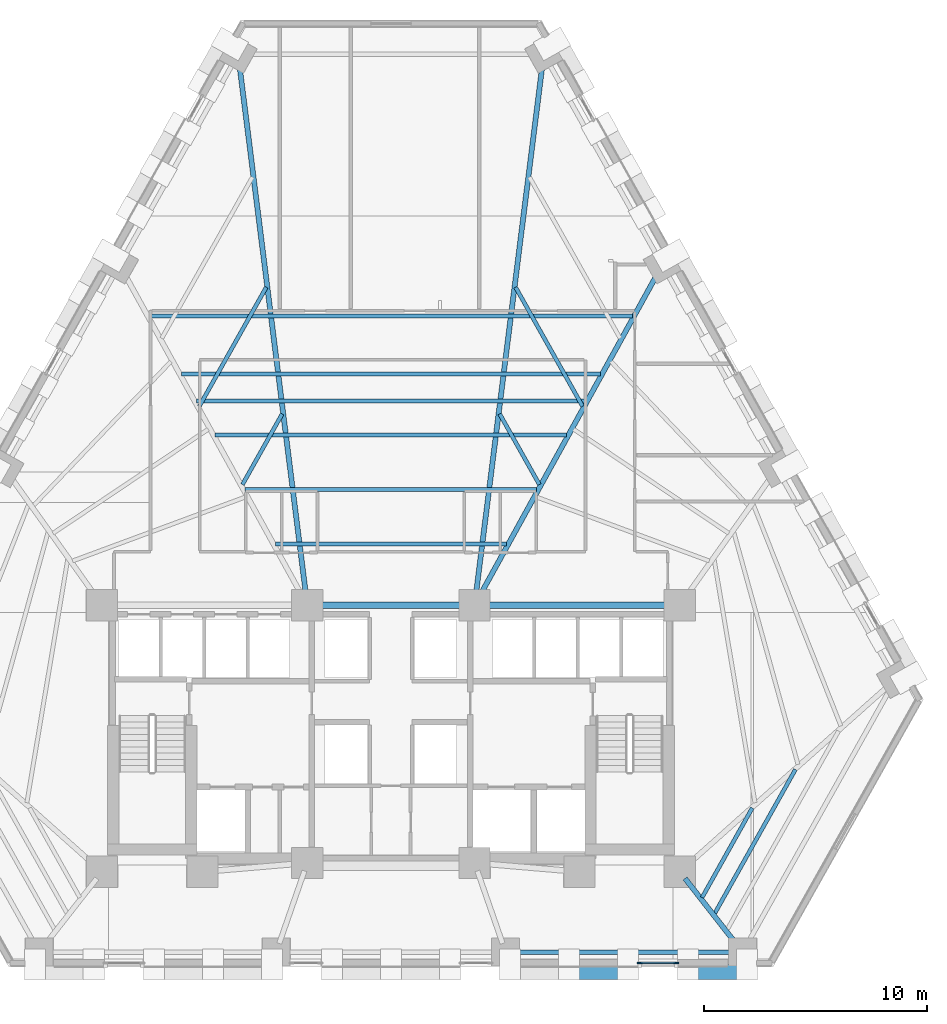
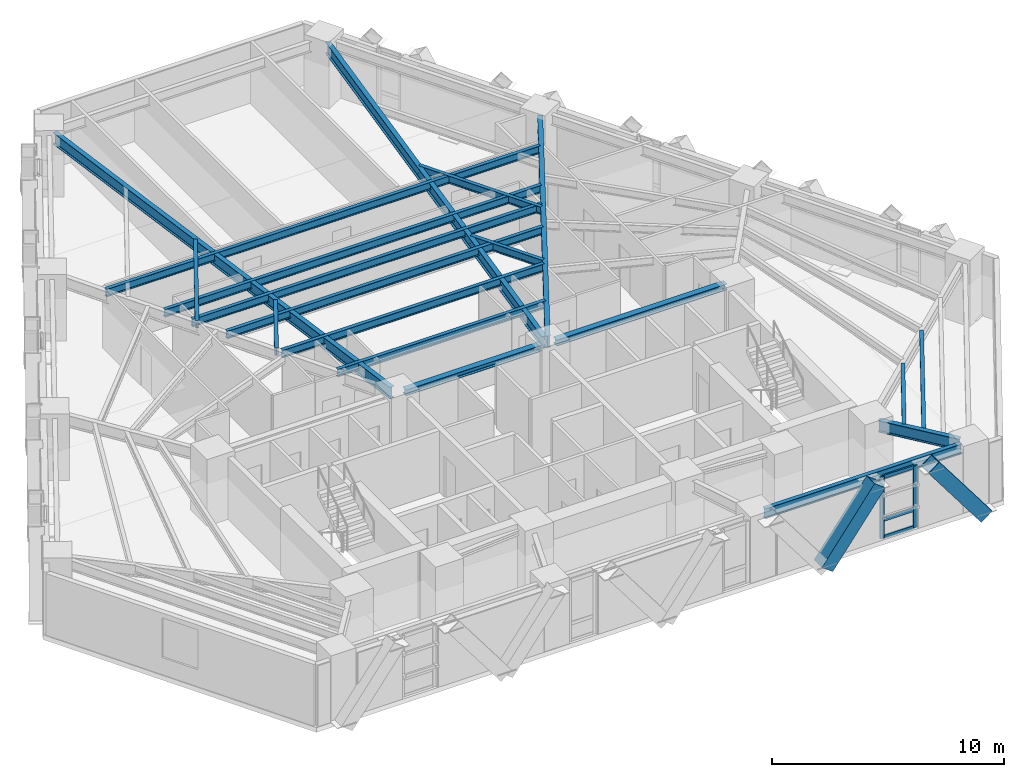
# One storey, part 3 of 13: 19 beams, 7 members, 1 element without a shape of its own.
"""IFC4 building model written with IfcOpenShell, lengths in metres."""

from ifc_helpers import new_model, si_unit, direction, frame, origin, origin_2d, place, context, subcontext, project, spatial, rectangle, hollow_rectangle, i_section, extrude, material, material_profile, profile_set, type_object, element, aggregate, save


model = new_model("IFC4")

# Units and contexts
model_context = context("Model", 3, precision=1e-05, world=origin(), true_north=direction((0.0, 1.0)))
body_context = subcontext(model_context, "Body", "Model", "MODEL_VIEW")
ifc_project = project(units=[si_unit("LENGTHUNIT", "METRE"), si_unit("AREAUNIT", "SQUARE_METRE"), si_unit("VOLUMEUNIT", "CUBIC_METRE"), si_unit("PLANEANGLEUNIT", "RADIAN"), si_unit("MASSUNIT", "GRAM", prefix="KILO")], contexts=[model_context])

# Site, building, storey
site_placement = place(None, origin())
site = spatial("IfcSite", under=ifc_project, at=site_placement, CompositionType="ELEMENT")
building_placement = place(site_placement, origin())
building = spatial("IfcBuilding", under=site, at=building_placement, Name="Quenlor Broadcast Tower", CompositionType="ELEMENT")
storey_placement = place(building_placement, frame((0.0, 0.0, 38.10009765625)))
storey = spatial("IfcBuildingStorey", under=building, at=storey_placement, Name="L09", CompositionType="ELEMENT", Elevation=38.10009765625)

# Curtain wall, members
ifc_material_1 = material(Name="Architectural Terracotta and Low-E Glazing", Category="masonry")
curtain_wall_type = type_object("IfcCurtainWallType", Name="Unitised Terracotta Curtain Wall System Z1", PredefinedType="NOTDEFINED", material=ifc_material_1)
curtain_wall_placement = place(storey_placement, origin())
curtain_wall = element("IfcCurtainWall", 1, at=curtain_wall_placement, inside=storey, type_object=curtain_wall_type, Name="L09 Curtain Wall CW1 (L09-SA-G1)", PredefinedType="NOTDEFINED")
ifc_material_2 = material(Name="Aluminium 6063-T6", Category="aluminium")
ifc_material_profile_1 = material_profile(ifc_material_2, rectangle(XDim=0.080078125, YDim=0.219970703125, at=origin_2d()))
ifc_profile_set_1 = profile_set([ifc_material_profile_1], Name="Aluminium 6063-T6 MULL80x220")
member_type_1 = type_object("IfcMemberType", Name="CW1 Aluminium Mullion MULL_CW1", PredefinedType="MULLION", material=ifc_profile_set_1)
member_1_placement = place(storey_placement, frame((12.794921875, -20.840087890625, 0.0), z_axis=(0.0, 0.0, 1.0), x_axis=(0.0, -1.0, 0.0)))
member_1 = element("IfcMember", 2, at=member_1_placement, type_object=member_type_1, Name="CW1 mullion 1", PredefinedType="MULLION", context=body_context, shape_type="SweptSolid", body=[
    extrude(rectangle(XDim=0.080078125, YDim=0.219970703125, at=origin_2d()), origin(), (0.0, 0.0, 1.0), 3.25),
])
member_2_placement = place(storey_placement, frame((11.146484375, -20.840087890625, 0.0), z_axis=(0.0, 0.0, 1.0), x_axis=(0.0, -1.0, 0.0)))
member_2 = element("IfcMember", 3, at=member_2_placement, type_object=member_type_1, Name="CW1 mullion 2", PredefinedType="MULLION", context=body_context, shape_type="SweptSolid", body=[
    extrude(rectangle(XDim=0.080078125, YDim=0.219970703125, at=origin_2d()), origin(), (0.0, 0.0, 1.0), 3.25),
])
ifc_material_3 = material(Name="Aluminium 6063-T6", Category="aluminium")
ifc_material_profile_2 = material_profile(ifc_material_3, rectangle(XDim=0.080078125, YDim=0.179931640625, at=origin_2d()))
ifc_profile_set_2 = profile_set([ifc_material_profile_2], Name="Aluminium 6063-T6 TRAN80x180")
member_type_2 = type_object("IfcMemberType", Name="CW1 Aluminium Transom TRAN_CW1", PredefinedType="USERDEFINED", material=ifc_profile_set_2)
member_3_placement = place(storey_placement, frame((12.7548828125, -20.840087890625, 0.039794921875), z_axis=(-1.0, 0.0, 0.0), x_axis=(0.0, -1.0, 0.0)))
member_3 = element("IfcMember", 4, at=member_3_placement, type_object=member_type_2, Name="CW1 transom 1.1", ObjectType="TRANSOM", PredefinedType="USERDEFINED", context=body_context, shape_type="SweptSolid", body=[
    extrude(rectangle(XDim=0.080078125, YDim=0.179931640625, at=origin_2d()), origin(), (0.0, 0.0, 1.0), 1.568359375),
])
member_4_placement = place(storey_placement, frame((12.7548828125, -20.840087890625, 0.949951171875), z_axis=(-1.0, 0.0, 0.0), x_axis=(0.0, -1.0, 0.0)))
member_4 = element("IfcMember", 5, at=member_4_placement, type_object=member_type_2, Name="CW1 transom 1.2", ObjectType="TRANSOM", PredefinedType="USERDEFINED", context=body_context, shape_type="SweptSolid", body=[
    extrude(rectangle(XDim=0.080078125, YDim=0.179931640625, at=origin_2d()), origin(), (0.0, 0.0, 1.0), 1.568359375),
])
member_5_placement = place(storey_placement, frame((12.7548828125, -20.840087890625, 3.2099609375), z_axis=(-1.0, 0.0, 0.0), x_axis=(0.0, -1.0, 0.0)))
member_5 = element("IfcMember", 6, at=member_5_placement, type_object=member_type_2, Name="CW1 transom 1.3", ObjectType="TRANSOM", PredefinedType="USERDEFINED", context=body_context, shape_type="SweptSolid", body=[
    extrude(rectangle(XDim=0.080078125, YDim=0.179931640625, at=origin_2d()), origin(), (0.0, 0.0, 1.0), 1.568359375),
])
aggregate(curtain_wall, [member_1, member_2, member_3, member_4, member_5])

# Beams
ifc_material_4 = material(Name="Steel S355", Category="steel")
ifc_material_profile_3 = material_profile(ifc_material_4, i_section(OverallWidth=0.304931640625, OverallDepth=0.30810546875, WebThickness=0.010009765625, FlangeThickness=0.015380859375, FilletRadius=0.0166015625, at=origin_2d()))
ifc_profile_set_3 = profile_set([ifc_material_profile_3], Name="Steel S355 310UC96.8")
beam_type_1 = type_object("IfcBeamType", Name="Core Header Beam Steel S355 310UC96.8", PredefinedType="BEAM", material=ifc_profile_set_3)
beam_1_placement = place(storey_placement, frame((-3.389892578125, -4.800048828125, 3.095947265625), z_axis=(1.0, 0.0, 0.0), x_axis=(0.0, 1.0, 0.0)))
element("IfcBeam", 7, at=beam_1_placement, inside=storey, type_object=beam_type_1, Name="L09 Core Header Beam 2", PredefinedType="BEAM", context=body_context, shape_type="SweptSolid", body=[
    extrude(i_section(OverallWidth=0.304931640625, OverallDepth=0.30810546875, WebThickness=0.010009765625, FlangeThickness=0.015380859375, FilletRadius=0.0166015625, at=origin_2d()), origin(), (0.0, 0.0, 1.0), 6.77978515625),
])
ifc_material_5 = material(Name="Steel S355", Category="steel")
ifc_material_profile_4 = material_profile(ifc_material_5, i_section(OverallWidth=0.306884765625, OverallDepth=0.314697265625, WebThickness=0.011962890625, FlangeThickness=0.018798828125, FilletRadius=0.0166015625, at=origin_2d()))
ifc_profile_set_4 = profile_set([ifc_material_profile_4], Name="Steel S355 310UC118")
beam_type_2 = type_object("IfcBeamType", Name="Core Tie Beam Steel S355 310UC118", PredefinedType="BEAM", material=ifc_profile_set_4)
beam_2_placement = place(storey_placement, frame((4.110107421875, -4.800048828125, 3.092529296875), z_axis=(1.0, 0.0, 0.0), x_axis=(0.0, 1.0, 0.0)))
element("IfcBeam", 8, at=beam_2_placement, inside=storey, type_object=beam_type_2, Name="L09 Core Tie Beam 3", PredefinedType="BEAM", context=body_context, shape_type="SweptSolid", body=[
    extrude(i_section(OverallWidth=0.306884765625, OverallDepth=0.314697265625, WebThickness=0.011962890625, FlangeThickness=0.018798828125, FilletRadius=0.0166015625, at=origin_2d()), origin(), (0.0, 0.0, 1.0), 8.47998046875),
])

# Members
ifc_material_6 = material(Name="Steel S355", Category="steel")
ifc_material_profile_5 = material_profile(ifc_material_6, hollow_rectangle(XDim=0.679931640625, YDim=0.679931640625, WallThickness=0.034912109375, at=origin_2d()))
ifc_profile_set_5 = profile_set([ifc_material_profile_5], Name="Steel S355 RHS680x680x35")
member_type_3 = type_object("IfcMemberType", Name="Perimeter Diagonal Lattice Brace Z1 Steel S355 RHS680x35", PredefinedType="BRACE", material=ifc_profile_set_5)
for number, where, z_axis, x_axis, name in (
    (9, (15.945068359375, -21.235107421875, -0.1201171875), (-0.600463982679, 0.0, 0.799651802665), (0.0, -1.0, 0.0), "L09 Perimeter Diamond Lattice S-C1S"),
    (10, (7.99658203125, -21.235107421875, -0.1201171875), (0.600463982679, 0.0, 0.799651802665), (0.0, 1.0, 0.0), "L09 Perimeter Diamond Lattice S-C1B"),
):
    element("IfcMember", number, at=place(storey_placement, frame(where, z_axis=z_axis, x_axis=x_axis)), inside=storey, type_object=member_type_3, Name=name, PredefinedType="BRACE", context=body_context, shape_type="SweptSolid", body=[
        extrude(hollow_rectangle(XDim=0.679931640625, YDim=0.679931640625, WallThickness=0.034912109375, at=origin_2d()), origin(), (0.0, 0.0, 1.0), 4.376953125),
    ])

# Beams
ifc_material_7 = material(Name="Steel S355", Category="steel")
ifc_material_profile_6 = material_profile(ifc_material_7, i_section(OverallWidth=0.208984375, OverallDepth=0.532958984375, WebThickness=0.01025390625, FlangeThickness=0.015625, FilletRadius=0.013916015625, at=origin_2d()))
ifc_profile_set_6 = profile_set([ifc_material_profile_6], Name="Steel S355 530UB92.4")
beam_type_3 = type_object("IfcBeamType", Name="Perimeter Spandrel Beam Z1 Steel S355 530UB92.4", PredefinedType="SPANDREL", material=ifc_profile_set_6)
beam_3_placement = place(storey_placement, frame((5.55078125, -20.35009765625, 2.9833984375), z_axis=(1.0, 0.0, 0.0), x_axis=(0.0, 1.0, 0.0)))
element("IfcBeam", 11, at=beam_3_placement, inside=storey, type_object=beam_type_3, Name="L09 Spandrel Beam S3-S4", PredefinedType="SPANDREL", context=body_context, shape_type="SweptSolid", body=[
    extrude(i_section(OverallWidth=0.208984375, OverallDepth=0.532958984375, WebThickness=0.01025390625, FlangeThickness=0.015625, FilletRadius=0.013916015625, at=origin_2d()), origin(), (0.0, 0.0, 1.0), 9.80419921875),
])
ifc_material_8 = material(Name="Steel S355", Category="steel")
ifc_material_profile_7 = material_profile(ifc_material_8, i_section(OverallWidth=0.177978515625, OverallDepth=0.406494140625, WebThickness=0.0078125, FlangeThickness=0.0126953125, FilletRadius=0.011474609375, at=origin_2d()))
ifc_profile_set_7 = profile_set([ifc_material_profile_7], Name="Steel S355 410UB59.7")
beam_type_4 = type_object("IfcBeamType", Name="Tower Composite Joist Z1 Steel S355 410UB59.7", PredefinedType="JOIST", material=ifc_profile_set_7)
beam_4_placement = place(storey_placement, frame((-5.184326171875, -2.0546875, 3.046630859375), z_axis=(1.0, 0.0, 0.0), x_axis=(0.0, 1.0, 0.0)))
element("IfcBeam", 12, at=beam_4_placement, inside=storey, type_object=beam_type_4, Name="L09 Secondary Composite Joist 1", PredefinedType="JOIST", context=body_context, shape_type="SweptSolid", body=[
    extrude(i_section(OverallWidth=0.177978515625, OverallDepth=0.406494140625, WebThickness=0.0078125, FlangeThickness=0.0126953125, FilletRadius=0.011474609375, at=origin_2d()), origin(), (0.0, 0.0, 1.0), 10.36865234375),
])
beam_5_placement = place(storey_placement, frame((-8.718017578125, 4.3505859375, 3.046630859375), z_axis=(1.0, 0.0, 0.0), x_axis=(0.0, 1.0, 0.0)))
element("IfcBeam", 13, at=beam_5_placement, inside=storey, type_object=beam_type_4, Name="L09 Secondary Composite Joist 2", PredefinedType="JOIST", context=body_context, shape_type="SweptSolid", body=[
    extrude(i_section(OverallWidth=0.177978515625, OverallDepth=0.406494140625, WebThickness=0.0078125, FlangeThickness=0.0126953125, FilletRadius=0.011474609375, at=origin_2d()), origin(), (0.0, 0.0, 1.0), 17.43603515625),
])
beam_6_placement = place(storey_placement, frame((-6.530517578125, 0.38525390625, 3.046630859375), z_axis=(1.0, 0.0, 0.0), x_axis=(0.0, 1.0, 0.0)))
element("IfcBeam", 14, at=beam_6_placement, inside=storey, type_object=beam_type_4, Name="L09 Secondary Composite Joist 3", PredefinedType="JOIST", context=body_context, shape_type="SweptSolid", body=[
    extrude(i_section(OverallWidth=0.177978515625, OverallDepth=0.406494140625, WebThickness=0.0078125, FlangeThickness=0.0126953125, FilletRadius=0.011474609375, at=origin_2d()), origin(), (0.0, 0.0, 1.0), 13.06103515625),
])
beam_7_placement = place(storey_placement, frame((-7.87646484375, 2.825439453125, 3.046630859375), z_axis=(1.0, 0.0, 0.0), x_axis=(0.0, 1.0, 0.0)))
element("IfcBeam", 15, at=beam_7_placement, inside=storey, type_object=beam_type_4, Name="L09 Secondary Composite Joist 4", PredefinedType="JOIST", context=body_context, shape_type="SweptSolid", body=[
    extrude(i_section(OverallWidth=0.177978515625, OverallDepth=0.406494140625, WebThickness=0.0078125, FlangeThickness=0.0126953125, FilletRadius=0.011474609375, at=origin_2d()), origin(), (0.0, 0.0, 1.0), 15.7529296875),
])
beam_8_placement = place(storey_placement, frame((-9.390869140625, 5.570556640625, 3.046630859375), z_axis=(1.0, 0.0, 0.0), x_axis=(0.0, 1.0, 0.0)))
element("IfcBeam", 16, at=beam_8_placement, inside=storey, type_object=beam_type_4, Name="L09 Secondary Composite Joist 5", PredefinedType="JOIST", context=body_context, shape_type="SweptSolid", body=[
    extrude(i_section(OverallWidth=0.177978515625, OverallDepth=0.406494140625, WebThickness=0.0078125, FlangeThickness=0.0126953125, FilletRadius=0.011474609375, at=origin_2d()), origin(), (0.0, 0.0, 1.0), 18.78173828125),
])
beam_9_placement = place(storey_placement, frame((-10.821044921875, 8.163330078125, 3.046630859375), z_axis=(1.0, 0.0, 0.0), x_axis=(0.0, 1.0, 0.0)))
element("IfcBeam", 17, at=beam_9_placement, inside=storey, type_object=beam_type_4, Name="L09 Secondary Composite Joist 6", PredefinedType="JOIST", context=body_context, shape_type="SweptSolid", body=[
    extrude(i_section(OverallWidth=0.177978515625, OverallDepth=0.406494140625, WebThickness=0.0078125, FlangeThickness=0.0126953125, FilletRadius=0.011474609375, at=origin_2d()), origin(), (0.0, 0.0, 1.0), 21.64208984375),
])
beam_10_placement = place(storey_placement, frame((13.9462890625, -17.904296875, 3.046630859375), z_axis=(0.489062021968, 0.872249011848, 0.0), x_axis=(-0.872249011848, 0.489062021968, 0.0)))
element("IfcBeam", 18, at=beam_10_placement, inside=storey, type_object=beam_type_4, Name="L09 Secondary Composite Joist 22", PredefinedType="JOIST", context=body_context, shape_type="SweptSolid", body=[
    extrude(i_section(OverallWidth=0.177978515625, OverallDepth=0.406494140625, WebThickness=0.0078125, FlangeThickness=0.0126953125, FilletRadius=0.011474609375, at=origin_2d()), origin(), (0.0, 0.0, 1.0), 4.6025390625),
])
beam_11_placement = place(storey_placement, frame((14.50927734375, -18.624267578125, 3.046630859375), z_axis=(0.489088249322, 0.872234305892, 0.0), x_axis=(-0.872234305892, 0.489088249322, 0.0)))
element("IfcBeam", 19, at=beam_11_placement, inside=storey, type_object=beam_type_4, Name="L09 Secondary Composite Joist 23", PredefinedType="JOIST", context=body_context, shape_type="SweptSolid", body=[
    extrude(i_section(OverallWidth=0.177978515625, OverallDepth=0.406494140625, WebThickness=0.0078125, FlangeThickness=0.0126953125, FilletRadius=0.011474609375, at=origin_2d()), origin(), (0.0, 0.0, 1.0), 7.404296875),
])
beam_12_placement = place(storey_placement, frame((-4.87451171875, 3.7734375, 3.046630859375), z_axis=(-0.490286766726, -0.871561177642, 0.0), x_axis=(0.871561177642, -0.490286766726, 0.0)))
element("IfcBeam", 20, at=beam_12_placement, inside=storey, type_object=beam_type_4, Name="L09 Secondary Composite Joist 25", PredefinedType="JOIST", context=body_context, shape_type="SweptSolid", body=[
    extrude(i_section(OverallWidth=0.177978515625, OverallDepth=0.406494140625, WebThickness=0.0078125, FlangeThickness=0.0126953125, FilletRadius=0.011474609375, at=origin_2d()), origin(), (0.0, 0.0, 1.0), 3.632568359375),
])
beam_13_placement = place(storey_placement, frame((-5.587646484375, 9.453125, 3.046630859375), z_axis=(-0.490276380443, -0.871567020246, 0.0), x_axis=(0.871567020246, -0.490276380443, 0.0)))
element("IfcBeam", 21, at=beam_13_placement, inside=storey, type_object=beam_type_4, Name="L09 Secondary Composite Joist 26", PredefinedType="JOIST", context=body_context, shape_type="SweptSolid", body=[
    extrude(i_section(OverallWidth=0.177978515625, OverallDepth=0.406494140625, WebThickness=0.0078125, FlangeThickness=0.0126953125, FilletRadius=0.011474609375, at=origin_2d()), origin(), (0.0, 0.0, 1.0), 6.12451171875),
])
beam_14_placement = place(storey_placement, frame((4.87451171875, 3.7734375, 3.046630859375), z_axis=(0.490286766726, -0.871561177642, 0.0), x_axis=(0.871561177642, 0.490286766726, 0.0)))
element("IfcBeam", 22, at=beam_14_placement, inside=storey, type_object=beam_type_4, Name="L09 Secondary Composite Joist 28", PredefinedType="JOIST", context=body_context, shape_type="SweptSolid", body=[
    extrude(i_section(OverallWidth=0.177978515625, OverallDepth=0.406494140625, WebThickness=0.0078125, FlangeThickness=0.0126953125, FilletRadius=0.011474609375, at=origin_2d()), origin(), (0.0, 0.0, 1.0), 3.632568359375),
])
beam_15_placement = place(storey_placement, frame((5.587646484375, 9.453125, 3.046630859375), z_axis=(0.490276380443, -0.871567020246, 0.0), x_axis=(0.871567020246, 0.490276380443, 0.0)))
element("IfcBeam", 23, at=beam_15_placement, inside=storey, type_object=beam_type_4, Name="L09 Secondary Composite Joist 29", PredefinedType="JOIST", context=body_context, shape_type="SweptSolid", body=[
    extrude(i_section(OverallWidth=0.177978515625, OverallDepth=0.406494140625, WebThickness=0.0078125, FlangeThickness=0.0126953125, FilletRadius=0.011474609375, at=origin_2d()), origin(), (0.0, 0.0, 1.0), 6.12451171875),
])
ifc_material_9 = material(Name="Steel S355", Category="steel")
ifc_material_profile_8 = material_profile(ifc_material_9, i_section(OverallWidth=0.22900390625, OverallDepth=0.611572265625, WebThickness=0.011962890625, FlangeThickness=0.01953125, FilletRadius=0.013916015625, at=origin_2d()))
ifc_profile_set_8 = profile_set([ifc_material_profile_8], Name="Steel S355 610UB125")
beam_type_5 = type_object("IfcBeamType", Name="Tower Primary Floor Beam Z1 Steel S355 610UB125", PredefinedType="BEAM", material=ifc_profile_set_8)
beam_16_placement = place(storey_placement, frame((15.512451171875, -20.027099609375, 2.944091796875), z_axis=(-0.615968610193, 0.78777069713, 0.0), x_axis=(-0.78777069713, -0.615968610193, 0.0)))
element("IfcBeam", 24, at=beam_16_placement, inside=storey, type_object=beam_type_5, Name="L09 Primary Radial Beam S4", PredefinedType="BEAM", context=body_context, shape_type="SweptSolid", body=[
    extrude(i_section(OverallWidth=0.22900390625, OverallDepth=0.611572265625, WebThickness=0.011962890625, FlangeThickness=0.01953125, FilletRadius=0.013916015625, at=origin_2d()), origin(), (0.0, 0.0, 1.0), 3.780029296875),
])
beam_17_placement = place(storey_placement, frame((11.965087890625, 10.091796875, 2.944091796875), z_axis=(-0.483026493693, -0.875605736842, 0.0), x_axis=(0.875605736842, -0.483026493693, 0.0)))
element("IfcBeam", 25, at=beam_17_placement, inside=storey, type_object=beam_type_5, Name="L09 Primary Radial Beam NE3", PredefinedType="BEAM", context=body_context, shape_type="SweptSolid", body=[
    extrude(i_section(OverallWidth=0.22900390625, OverallDepth=0.611572265625, WebThickness=0.011962890625, FlangeThickness=0.01953125, FilletRadius=0.013916015625, at=origin_2d()), origin(), (0.0, 0.0, 1.0), 16.62744140625),
])
for number, where, z_axis, x_axis, name in (
    (26, (6.7998046875, 19.48779296875, 2.944091796875), (-0.124589575762, -0.99220836401, 0.0), (0.99220836401, -0.124589575762, 0.0), "L09 Primary Radial Beam NE4"),
    (27, (-6.7998046875, 19.48779296875, 2.944091796875), (0.124589575762, -0.99220836401, 0.0), (0.99220836401, 0.124589575762, 0.0), "L09 Primary Radial Beam NW1"),
):
    element("IfcBeam", number, at=place(storey_placement, frame(where, z_axis=z_axis, x_axis=x_axis)), inside=storey, type_object=beam_type_5, Name=name, PredefinedType="BEAM", context=body_context, shape_type="SweptSolid", body=[
        extrude(i_section(OverallWidth=0.22900390625, OverallDepth=0.611572265625, WebThickness=0.011962890625, FlangeThickness=0.01953125, FilletRadius=0.013916015625, at=origin_2d()), origin(), (0.0, 0.0, 1.0), 24.0986328125),
    ])

save(model, "model.ifc")
